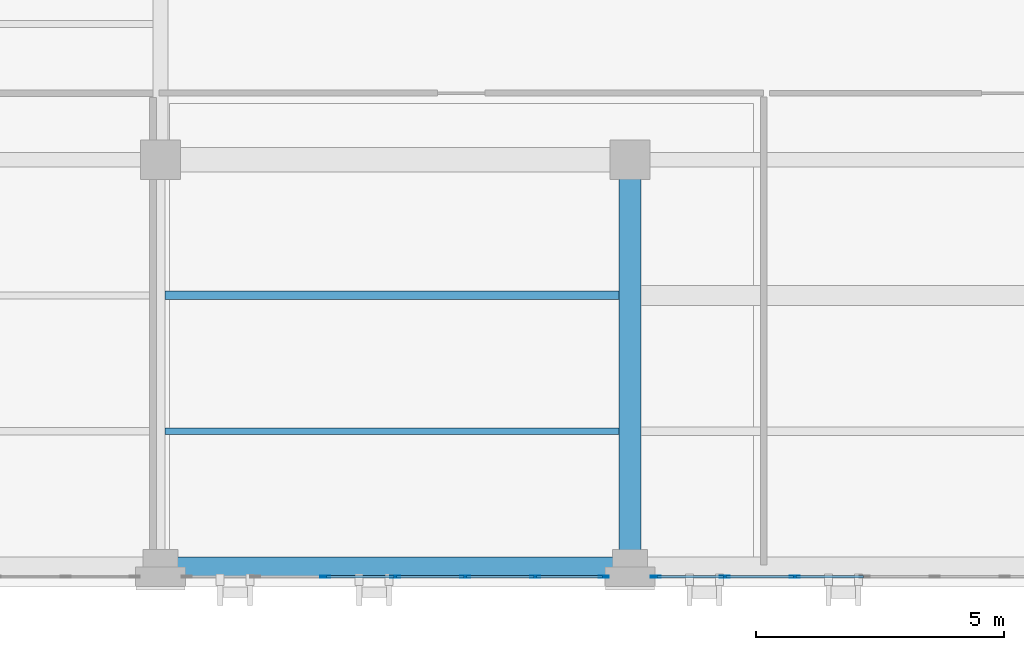
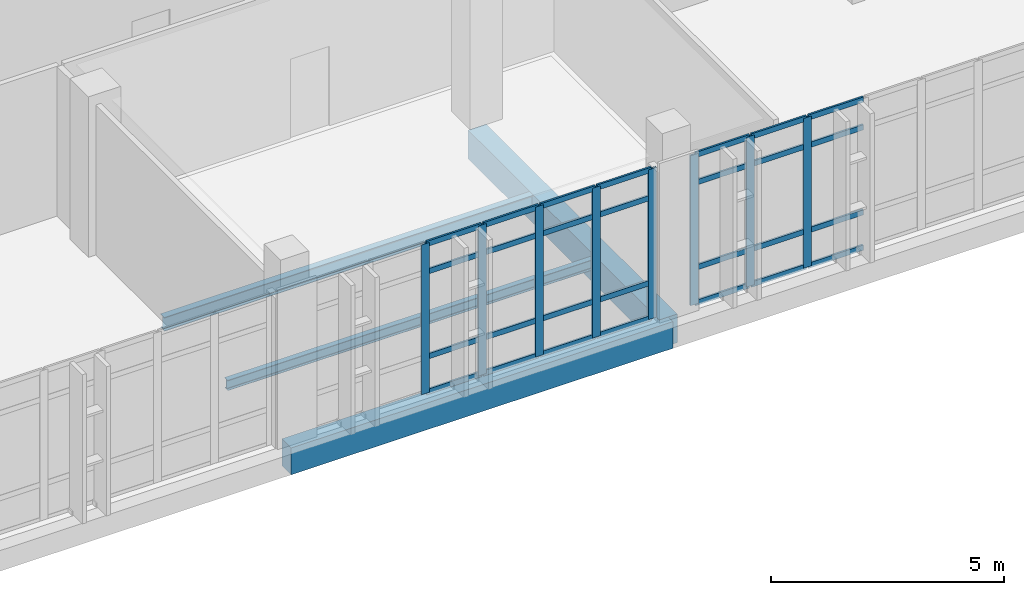
# One storey, part 42 of 158: 36 members, 4 beams, 2 elements without a shape of their own.
"""IFC4 building model written with IfcOpenShell, lengths in metres."""

import ifcopenshell
import ifcopenshell.guid

model = None  # the IFC model being written
_history = None  # IfcOwnerHistory: only IFC2X3 demands one
_inside = {}  # id of a spatial element -> (the spatial element, [elements in it])
_under = {}  # id of a project, library or spatial element -> (it, [spatial elements below it])
_declared = {}  # id of a project -> (the project, [libraries it declares])
_typed = {}  # id of a type object -> (the type object, [elements of that type])
_made_of = {}  # id of a material, layer set ... -> (it, [elements and type objects made of it])


def new_model(schema):
    """Start an empty IFC model of exactly this schema.

    Asked for "IFC4X3", IfcOpenShell would pick the latest addendum, in which some entities
    have other attributes; the version numbers below select the first issue.
    IFC2X3 requires an IfcOwnerHistory on every rooted entity: one is made here for all.
    """
    global model, _history
    if schema == "IFC4X3":
        model = ifcopenshell.file(schema_version=(4, 3, 0, 0))
    else:
        model = ifcopenshell.file(schema=schema)
    _inside.clear()
    _under.clear()
    _declared.clear()
    _typed.clear()
    _made_of.clear()
    _history = None
    if model.schema == "IFC2X3":
        org = make("IfcOrganization", Name="unknown")
        user = make(
            "IfcPersonAndOrganization",
            ThePerson=make("IfcPerson", FamilyName="unknown"),
            TheOrganization=org,
        )
        app = make(
            "IfcApplication",
            ApplicationDeveloper=org,
            Version="unknown",
            ApplicationFullName="unknown",
            ApplicationIdentifier="unknown",
        )
        _history = make(
            "IfcOwnerHistory",
            OwningUser=user,
            OwningApplication=app,
            ChangeAction="ADDED",
            CreationDate=0,
        )
    return model


def make(cls, **values):
    """One entity of the class cls with the attributes given. An attribute that is None is left unset."""
    return model.create_entity(
        cls, **{name: value for name, value in values.items() if value is not None}
    )


def rooted(cls, **values):
    """An entity with a GlobalId (a new one), such as an element, a storey or a relation."""
    return make(cls, GlobalId=ifcopenshell.guid.new(), OwnerHistory=_history, **values)


def si_unit(unit_type, name, prefix=None):
    """IfcSIUnit, for example si_unit("LENGTHUNIT", "METRE", prefix="MILLI")."""
    return make("IfcSIUnit", UnitType=unit_type, Prefix=prefix, Name=name)


def assignment(units):
    """IfcUnitAssignment: the units of a project."""
    return None if units is None else make("IfcUnitAssignment", Units=units)


def point(xyz):
    """IfcCartesianPoint."""
    return None if xyz is None else make("IfcCartesianPoint", Coordinates=xyz)


def direction(xyz):
    """IfcDirection."""
    return None if xyz is None else make("IfcDirection", DirectionRatios=xyz)


def frame(location, z_axis=None, x_axis=None):
    """IfcAxis2Placement3D, a coordinate frame: its origin and axes. An axis left out is left unset."""
    return make(
        "IfcAxis2Placement3D",
        Location=point(location),
        Axis=direction(z_axis),
        RefDirection=direction(x_axis),
    )


def frame_2d(location, x_axis=None):
    """IfcAxis2Placement2D, a coordinate frame in the plane: its origin and x axis."""
    return make(
        "IfcAxis2Placement2D", Location=point(location), RefDirection=direction(x_axis)
    )


def origin():
    """The frame at (0, 0, 0) with its axes left unset."""
    return frame((0.0, 0.0, 0.0))


def origin_2d():
    """The frame at (0, 0) in the plane with its x axis left unset."""
    return frame_2d((0.0, 0.0))


def place(relative_to, where):
    """IfcLocalPlacement: puts the frame where relative to a parent placement (None: the world)."""
    return make(
        "IfcLocalPlacement", PlacementRelTo=relative_to, RelativePlacement=where
    )


def context(
    kind, dimensions, precision=None, world=None, true_north=None, identifier=None
):
    """IfcGeometricRepresentationContext, for example the 3D "Model" context."""
    return make(
        "IfcGeometricRepresentationContext",
        ContextIdentifier=identifier,
        ContextType=kind,
        CoordinateSpaceDimension=dimensions,
        Precision=precision,
        WorldCoordinateSystem=world,
        TrueNorth=true_north,
    )


def subcontext(parent, identifier, kind, view, scale=None):
    """IfcGeometricRepresentationSubContext, for example "Body" below "Model"."""
    return make(
        "IfcGeometricRepresentationSubContext",
        ContextIdentifier=identifier,
        ContextType=kind,
        ParentContext=parent,
        TargetScale=scale,
        TargetView=view,
    )


def project(units=None, contexts=None):
    """IfcProject with its units and contexts."""
    return rooted(
        "IfcProject",
        Name="project",
        RepresentationContexts=contexts,
        UnitsInContext=assignment(units),
    )


def spatial(cls, under=None, at=None, **own):
    """A site, building, storey or space (cls), placed at a placement, below another one or the project."""
    s = rooted(cls, ObjectPlacement=at, **own)
    if under is not None:
        _under.setdefault(under.id(), (under, []))[1].append(s)
    return s


def profile(cls, at=None, kind="AREA", **sizes):
    """A parametric profile (cls). Its sizes go by their IFC names, for example OverallWidth=200.0."""
    return make(cls, ProfileType=kind, Position=at, **sizes)


def rectangle(**sizes):
    """IfcRectangleProfileDef."""
    return profile("IfcRectangleProfileDef", **sizes)


def hollow_rectangle(**sizes):
    """IfcRectangleHollowProfileDef."""
    return profile("IfcRectangleHollowProfileDef", **sizes)


def i_section(**sizes):
    """IfcIShapeProfileDef."""
    return profile("IfcIShapeProfileDef", **sizes)


def extrude(swept, where, along, depth):
    """IfcExtrudedAreaSolid: the profile swept, set in the frame where, extruded along a direction by depth."""
    return make(
        "IfcExtrudedAreaSolid",
        SweptArea=swept,
        Position=where,
        ExtrudedDirection=direction(along),
        Depth=depth,
    )


def shape(context_of_items, identifier, shape_type, items):
    """IfcShapeRepresentation: the items that make up one representation, for example the "Body"."""
    return make(
        "IfcShapeRepresentation",
        ContextOfItems=context_of_items,
        RepresentationIdentifier=identifier,
        RepresentationType=shape_type,
        Items=items,
    )


def material(Name=None, Category=None):
    """IfcMaterial."""
    return make("IfcMaterial", Name=Name, Category=Category)


def layer(
    of_material, thickness, ventilated=None, Name=None, Category=None, Priority=None
):
    """IfcMaterialLayer: one layer of a wall or slab, of a material (None: an air gap)."""
    return make(
        "IfcMaterialLayer",
        Material=of_material,
        LayerThickness=thickness,
        IsVentilated=ventilated,
        Name=Name,
        Category=Category,
        Priority=Priority,
    )


def layer_set(layers, Name=None):
    """IfcMaterialLayerSet."""
    return make("IfcMaterialLayerSet", MaterialLayers=layers, LayerSetName=Name)


def material_profile(
    of_material, cross_section, Name=None, Category=None, Priority=None
):
    """IfcMaterialProfile: a cross section and its material."""
    return make(
        "IfcMaterialProfile",
        Name=Name,
        Material=of_material,
        Profile=cross_section,
        Priority=Priority,
        Category=Category,
    )


def profile_set(profiles, Name=None, composite=None):
    """IfcMaterialProfileSet."""
    return make(
        "IfcMaterialProfileSet",
        Name=Name,
        MaterialProfiles=profiles,
        CompositeProfile=composite,
    )


def made_of(thing, what):
    """Note that an element or type object is made of a material, layer set ...; save() writes the relation."""
    if what is not None:
        _made_of.setdefault(what.id(), (what, []))[1].append(thing)
    return thing


def type_object(cls, material=None, **own):
    """A type object (cls), such as IfcWallType, which elements share."""
    return made_of(rooted(cls, **own), material)


def element(
    cls,
    number,
    at=None,
    inside=None,
    cuts=None,
    type_object=None,
    material=None,
    context=None,
    identifier="Body",
    shape_type=None,
    held_by="IfcProductDefinitionShape",
    body=None,
    shapes=None,
    **own,
):
    """One element of the class cls, such as IfcWall. Its Tag is "e" and its number.

    at: its placement. inside: the storey or other place that contains it. cuts: it is an
    opening in that element (IfcRelVoidsElement). A single representation is given by context,
    identifier, shape_type and body (its items); several are given by shapes. held_by: the class
    of the entity that holds the representations. save() writes the other relations.
    """
    e = rooted(cls, Tag="e%d" % number, ObjectPlacement=at, **own)
    if body is not None:
        shapes = [shape(context, identifier, shape_type, body)]
    if shapes is not None:
        e.Representation = make(held_by, Representations=shapes)
    if inside is not None:
        _inside.setdefault(inside.id(), (inside, []))[1].append(e)
    if cuts is not None:
        rooted(
            "IfcRelVoidsElement", RelatingBuildingElement=cuts, RelatedOpeningElement=e
        )
    if type_object is not None:
        _typed.setdefault(type_object.id(), (type_object, []))[1].append(e)
    return made_of(e, material)


def aggregate(whole, parts):
    """IfcRelAggregates: a whole, such as a stair, and the parts it consists of."""
    return rooted("IfcRelAggregates", RelatingObject=whole, RelatedObjects=parts)


def save(model, path):
    """Write the relations noted so far, then the file.

    IfcRelAggregates (storeys below a building ...), IfcRelContainedInSpatialStructure (elements
    in a storey), IfcRelDefinesByType, IfcRelAssociatesMaterial and IfcRelDeclares: one each for
    every whole, place, type object, material and project.
    """
    for whole, parts in _under.values():
        aggregate(whole, parts)
    for where, things in _inside.values():
        rooted(
            "IfcRelContainedInSpatialStructure",
            RelatedElements=things,
            RelatingStructure=where,
        )
    for kind, things in _typed.values():
        rooted("IfcRelDefinesByType", RelatedObjects=things, RelatingType=kind)
    for what, things in _made_of.values():
        rooted("IfcRelAssociatesMaterial", RelatedObjects=things, RelatingMaterial=what)
    for by, libraries in _declared.values():
        rooted("IfcRelDeclares", RelatingContext=by, RelatedDefinitions=libraries)
    model.write(path)


model = new_model("IFC4")

# Units and contexts
model_context = context("Model", 3, precision=1e-05, world=origin(), true_north=direction((0.0, 1.0)))
body_context = subcontext(model_context, "Body", "Model", "MODEL_VIEW")
ifc_project = project(units=[si_unit("LENGTHUNIT", "METRE"), si_unit("AREAUNIT", "SQUARE_METRE"), si_unit("VOLUMEUNIT", "CUBIC_METRE"), si_unit("PLANEANGLEUNIT", "RADIAN"), si_unit("MASSUNIT", "GRAM", prefix="KILO")], contexts=[model_context])

# Site, building, storey
site_placement = place(None, origin())
site = spatial("IfcSite", under=ifc_project, at=site_placement, CompositionType="ELEMENT")
building_placement = place(site_placement, origin())
building = spatial("IfcBuilding", under=site, at=building_placement, Name="Qalavern Law Courts", CompositionType="ELEMENT")
storey_placement = place(building_placement, frame((0.0, 0.0, 18.60009765625)))
storey = spatial("IfcBuildingStorey", under=building, at=storey_placement, Name="L04", CompositionType="ELEMENT", Elevation=18.60009765625)

# Curtain wall, members
ifc_material_1 = material(Name="Anodised aluminium and insulated glazing", Category="aluminium")
ifc_layer = layer(ifc_material_1, 0.18505859375)
ifc_layer_set = layer_set([ifc_layer], Name="Anodised aluminium and insulated glazing")
curtain_wall_type = type_object("IfcCurtainWallType", Name="ENV-CW-HALL", PredefinedType="USERDEFINED", material=ifc_layer_set)
curtain_wall_1_placement = place(storey_placement, origin())
curtain_wall_1 = element("IfcCurtainWall", 1, at=curtain_wall_1_placement, inside=storey, type_object=curtain_wall_type, Name="V2 unitised curtain wall L04 south 3", ObjectType="UNITISED CURTAIN WALL", PredefinedType="USERDEFINED")
ifc_material_2 = material(Name="Anodised aluminium", Category="aluminium")
ifc_material_profile_1 = material_profile(ifc_material_2, hollow_rectangle(XDim=0.048095703125, YDim=0.199951171875, WallThickness=0.00439453125, at=origin_2d()), Name="ALU MULLION 48x200")
ifc_profile_set_1 = profile_set([ifc_material_profile_1], Name="Anodised aluminium")
member_type_1 = type_object("IfcMemberType", Name="ENV-CWM-48x200", PredefinedType="MULLION", material=ifc_profile_set_1)
member_1_placement = place(storey_placement, frame((66.301025390625, 5.39990234375, 0.0), z_axis=(0.0, 0.0, 1.0), x_axis=(0.0, 1.0, 0.0)))
member_1 = element("IfcMember", 2, at=member_1_placement, type_object=member_type_1, Name="CW-02 mullion 3", PredefinedType="MULLION", context=body_context, shape_type="SweptSolid", body=[
    extrude(hollow_rectangle(XDim=0.048095703125, YDim=0.199951171875, WallThickness=0.00439453125, at=origin_2d()), origin(), (0.0, 0.0, 1.0), 3.9248046875),
])
member_2_placement = place(storey_placement, frame((67.7099609375, 5.39990234375, 0.0), z_axis=(0.0, 0.0, 1.0), x_axis=(0.0, 1.0, 0.0)))
member_2 = element("IfcMember", 3, at=member_2_placement, type_object=member_type_1, Name="CW-02 mullion 4", PredefinedType="MULLION", context=body_context, shape_type="SweptSolid", body=[
    extrude(hollow_rectangle(XDim=0.048095703125, YDim=0.199951171875, WallThickness=0.00439453125, at=origin_2d()), origin(), (0.0, 0.0, 1.0), 3.9248046875),
])
member_3_placement = place(storey_placement, frame((69.119140625, 5.39990234375, 0.0), z_axis=(0.0, 0.0, 1.0), x_axis=(0.0, 1.0, 0.0)))
member_3 = element("IfcMember", 4, at=member_3_placement, type_object=member_type_1, Name="CW-02 mullion 5", PredefinedType="MULLION", context=body_context, shape_type="SweptSolid", body=[
    extrude(hollow_rectangle(XDim=0.048095703125, YDim=0.199951171875, WallThickness=0.00439453125, at=origin_2d()), origin(), (0.0, 0.0, 1.0), 3.9248046875),
])
member_4_placement = place(storey_placement, frame((70.528076171875, 5.39990234375, 0.0), z_axis=(0.0, 0.0, 1.0), x_axis=(0.0, 1.0, 0.0)))
member_4 = element("IfcMember", 5, at=member_4_placement, type_object=member_type_1, Name="CW-02 mullion 6", PredefinedType="MULLION", context=body_context, shape_type="SweptSolid", body=[
    extrude(hollow_rectangle(XDim=0.048095703125, YDim=0.199951171875, WallThickness=0.00439453125, at=origin_2d()), origin(), (0.0, 0.0, 1.0), 3.9248046875),
])
member_5_placement = place(storey_placement, frame((71.9130859375, 5.39990234375, 0.0), z_axis=(0.0, 0.0, 1.0), x_axis=(0.0, 1.0, 0.0)))
member_5 = element("IfcMember", 6, at=member_5_placement, type_object=member_type_1, Name="CW-02 mullion 7", PredefinedType="MULLION", context=body_context, shape_type="SweptSolid", body=[
    extrude(hollow_rectangle(XDim=0.048095703125, YDim=0.199951171875, WallThickness=0.00439453125, at=origin_2d()), origin(), (0.0, 0.0, 1.0), 3.9248046875),
])

curtain_wall_2_placement = place(storey_placement, origin())
curtain_wall_2 = element("IfcCurtainWall", 7, at=curtain_wall_2_placement, inside=storey, type_object=curtain_wall_type, Name="V2 unitised curtain wall L04 south 4", ObjectType="UNITISED CURTAIN WALL", PredefinedType="USERDEFINED")
member_6_placement = place(storey_placement, frame((72.961181640625, 5.39990234375, 0.0), z_axis=(0.0, 0.0, 1.0), x_axis=(0.0, 1.0, 0.0)))
member_6 = element("IfcMember", 8, at=member_6_placement, type_object=member_type_1, Name="CW-02 mullion 1", PredefinedType="MULLION", context=body_context, shape_type="SweptSolid", body=[
    extrude(hollow_rectangle(XDim=0.048095703125, YDim=0.199951171875, WallThickness=0.00439453125, at=origin_2d()), origin(), (0.0, 0.0, 1.0), 3.9248046875),
])
member_7_placement = place(storey_placement, frame((74.34619140625, 5.39990234375, 0.0), z_axis=(0.0, 0.0, 1.0), x_axis=(0.0, 1.0, 0.0)))
member_7 = element("IfcMember", 9, at=member_7_placement, type_object=member_type_1, Name="CW-02 mullion 2", PredefinedType="MULLION", context=body_context, shape_type="SweptSolid", body=[
    extrude(hollow_rectangle(XDim=0.048095703125, YDim=0.199951171875, WallThickness=0.00439453125, at=origin_2d()), origin(), (0.0, 0.0, 1.0), 3.9248046875),
])
member_8_placement = place(storey_placement, frame((75.755126953125, 5.39990234375, 0.0), z_axis=(0.0, 0.0, 1.0), x_axis=(0.0, 1.0, 0.0)))
member_8 = element("IfcMember", 10, at=member_8_placement, type_object=member_type_1, Name="CW-02 mullion 3", PredefinedType="MULLION", context=body_context, shape_type="SweptSolid", body=[
    extrude(hollow_rectangle(XDim=0.048095703125, YDim=0.199951171875, WallThickness=0.00439453125, at=origin_2d()), origin(), (0.0, 0.0, 1.0), 3.9248046875),
])

# Member
ifc_material_profile_2 = material_profile(ifc_material_2, hollow_rectangle(XDim=0.048095703125, YDim=0.139892578125, WallThickness=0.00390625, at=origin_2d()), Name="ALU TRANSOM 48x140")
ifc_profile_set_2 = profile_set([ifc_material_profile_2], Name="Anodised aluminium")
member_type_2 = type_object("IfcMemberType", Name="ENV-CWT-48x140", PredefinedType="USERDEFINED", material=ifc_profile_set_2)
member_9_placement = place(storey_placement, frame((66.324951171875, 5.39990234375, 0.02392578125), z_axis=(1.0, 0.0, 0.0), x_axis=(0.0, 1.0, 0.0)))
member_9 = element("IfcMember", 11, at=member_9_placement, type_object=member_type_2, Name="CW-02 transom 3.1", ObjectType="TRANSOM", PredefinedType="USERDEFINED", context=body_context, shape_type="SweptSolid", body=[
    extrude(hollow_rectangle(XDim=0.048095703125, YDim=0.139892578125, WallThickness=0.00390625, at=origin_2d()), origin(), (0.0, 0.0, 1.0), 1.361083984375),
])

member_10_placement = place(storey_placement, frame((66.324951171875, 5.39990234375, 0.949951171875), z_axis=(1.0, 0.0, 0.0), x_axis=(0.0, 1.0, 0.0)))
member_10 = element("IfcMember", 12, at=member_10_placement, type_object=member_type_2, Name="CW-02 transom 3.2", ObjectType="TRANSOM", PredefinedType="USERDEFINED", context=body_context, shape_type="SweptSolid", body=[
    extrude(hollow_rectangle(XDim=0.048095703125, YDim=0.139892578125, WallThickness=0.00390625, at=origin_2d()), origin(), (0.0, 0.0, 1.0), 1.361083984375),
])

member_11_placement = place(storey_placement, frame((66.324951171875, 5.39990234375, 3.1748046875), z_axis=(1.0, 0.0, 0.0), x_axis=(0.0, 1.0, 0.0)))
member_11 = element("IfcMember", 13, at=member_11_placement, type_object=member_type_2, Name="CW-02 transom 3.3", ObjectType="TRANSOM", PredefinedType="USERDEFINED", context=body_context, shape_type="SweptSolid", body=[
    extrude(hollow_rectangle(XDim=0.048095703125, YDim=0.139892578125, WallThickness=0.00390625, at=origin_2d()), origin(), (0.0, 0.0, 1.0), 1.361083984375),
])

member_12_placement = place(storey_placement, frame((66.324951171875, 5.39990234375, 3.90087890625), z_axis=(1.0, 0.0, 0.0), x_axis=(0.0, 1.0, 0.0)))
member_12 = element("IfcMember", 14, at=member_12_placement, type_object=member_type_2, Name="CW-02 transom 3.4", ObjectType="TRANSOM", PredefinedType="USERDEFINED", context=body_context, shape_type="SweptSolid", body=[
    extrude(hollow_rectangle(XDim=0.048095703125, YDim=0.139892578125, WallThickness=0.00390625, at=origin_2d()), origin(), (0.0, 0.0, 1.0), 1.361083984375),
])

member_13_placement = place(storey_placement, frame((67.73388671875, 5.39990234375, 0.02392578125), z_axis=(1.0, 0.0, 0.0), x_axis=(0.0, 1.0, 0.0)))
member_13 = element("IfcMember", 15, at=member_13_placement, type_object=member_type_2, Name="CW-02 transom 4.1", ObjectType="TRANSOM", PredefinedType="USERDEFINED", context=body_context, shape_type="SweptSolid", body=[
    extrude(hollow_rectangle(XDim=0.048095703125, YDim=0.139892578125, WallThickness=0.00390625, at=origin_2d()), origin(), (0.0, 0.0, 1.0), 1.361083984375),
])

member_14_placement = place(storey_placement, frame((67.73388671875, 5.39990234375, 0.949951171875), z_axis=(1.0, 0.0, 0.0), x_axis=(0.0, 1.0, 0.0)))
member_14 = element("IfcMember", 16, at=member_14_placement, type_object=member_type_2, Name="CW-02 transom 4.2", ObjectType="TRANSOM", PredefinedType="USERDEFINED", context=body_context, shape_type="SweptSolid", body=[
    extrude(hollow_rectangle(XDim=0.048095703125, YDim=0.139892578125, WallThickness=0.00390625, at=origin_2d()), origin(), (0.0, 0.0, 1.0), 1.361083984375),
])

member_15_placement = place(storey_placement, frame((67.73388671875, 5.39990234375, 3.1748046875), z_axis=(1.0, 0.0, 0.0), x_axis=(0.0, 1.0, 0.0)))
member_15 = element("IfcMember", 17, at=member_15_placement, type_object=member_type_2, Name="CW-02 transom 4.3", ObjectType="TRANSOM", PredefinedType="USERDEFINED", context=body_context, shape_type="SweptSolid", body=[
    extrude(hollow_rectangle(XDim=0.048095703125, YDim=0.139892578125, WallThickness=0.00390625, at=origin_2d()), origin(), (0.0, 0.0, 1.0), 1.361083984375),
])

member_16_placement = place(storey_placement, frame((67.73388671875, 5.39990234375, 3.90087890625), z_axis=(1.0, 0.0, 0.0), x_axis=(0.0, 1.0, 0.0)))
member_16 = element("IfcMember", 18, at=member_16_placement, type_object=member_type_2, Name="CW-02 transom 4.4", ObjectType="TRANSOM", PredefinedType="USERDEFINED", context=body_context, shape_type="SweptSolid", body=[
    extrude(hollow_rectangle(XDim=0.048095703125, YDim=0.139892578125, WallThickness=0.00390625, at=origin_2d()), origin(), (0.0, 0.0, 1.0), 1.361083984375),
])

member_17_placement = place(storey_placement, frame((69.14306640625, 5.39990234375, 0.02392578125), z_axis=(1.0, 0.0, 0.0), x_axis=(0.0, 1.0, 0.0)))
member_17 = element("IfcMember", 19, at=member_17_placement, type_object=member_type_2, Name="CW-02 transom 5.1", ObjectType="TRANSOM", PredefinedType="USERDEFINED", context=body_context, shape_type="SweptSolid", body=[
    extrude(hollow_rectangle(XDim=0.048095703125, YDim=0.139892578125, WallThickness=0.00390625, at=origin_2d()), origin(), (0.0, 0.0, 1.0), 1.361083984375),
])

member_18_placement = place(storey_placement, frame((69.14306640625, 5.39990234375, 0.949951171875), z_axis=(1.0, 0.0, 0.0), x_axis=(0.0, 1.0, 0.0)))
member_18 = element("IfcMember", 20, at=member_18_placement, type_object=member_type_2, Name="CW-02 transom 5.2", ObjectType="TRANSOM", PredefinedType="USERDEFINED", context=body_context, shape_type="SweptSolid", body=[
    extrude(hollow_rectangle(XDim=0.048095703125, YDim=0.139892578125, WallThickness=0.00390625, at=origin_2d()), origin(), (0.0, 0.0, 1.0), 1.361083984375),
])

member_19_placement = place(storey_placement, frame((69.14306640625, 5.39990234375, 3.1748046875), z_axis=(1.0, 0.0, 0.0), x_axis=(0.0, 1.0, 0.0)))
member_19 = element("IfcMember", 21, at=member_19_placement, type_object=member_type_2, Name="CW-02 transom 5.3", ObjectType="TRANSOM", PredefinedType="USERDEFINED", context=body_context, shape_type="SweptSolid", body=[
    extrude(hollow_rectangle(XDim=0.048095703125, YDim=0.139892578125, WallThickness=0.00390625, at=origin_2d()), origin(), (0.0, 0.0, 1.0), 1.361083984375),
])

member_20_placement = place(storey_placement, frame((69.14306640625, 5.39990234375, 3.90087890625), z_axis=(1.0, 0.0, 0.0), x_axis=(0.0, 1.0, 0.0)))
member_20 = element("IfcMember", 22, at=member_20_placement, type_object=member_type_2, Name="CW-02 transom 5.4", ObjectType="TRANSOM", PredefinedType="USERDEFINED", context=body_context, shape_type="SweptSolid", body=[
    extrude(hollow_rectangle(XDim=0.048095703125, YDim=0.139892578125, WallThickness=0.00390625, at=origin_2d()), origin(), (0.0, 0.0, 1.0), 1.361083984375),
])

member_21_placement = place(storey_placement, frame((70.552001953125, 5.39990234375, 0.02392578125), z_axis=(1.0, 0.0, 0.0), x_axis=(0.0, 1.0, 0.0)))
member_21 = element("IfcMember", 23, at=member_21_placement, type_object=member_type_2, Name="CW-02 transom 6.1", ObjectType="TRANSOM", PredefinedType="USERDEFINED", context=body_context, shape_type="SweptSolid", body=[
    extrude(hollow_rectangle(XDim=0.048095703125, YDim=0.139892578125, WallThickness=0.00390625, at=origin_2d()), origin(), (0.0, 0.0, 1.0), 1.337158203125),
])

member_22_placement = place(storey_placement, frame((70.552001953125, 5.39990234375, 0.949951171875), z_axis=(1.0, 0.0, 0.0), x_axis=(0.0, 1.0, 0.0)))
member_22 = element("IfcMember", 24, at=member_22_placement, type_object=member_type_2, Name="CW-02 transom 6.2", ObjectType="TRANSOM", PredefinedType="USERDEFINED", context=body_context, shape_type="SweptSolid", body=[
    extrude(hollow_rectangle(XDim=0.048095703125, YDim=0.139892578125, WallThickness=0.00390625, at=origin_2d()), origin(), (0.0, 0.0, 1.0), 1.337158203125),
])

member_23_placement = place(storey_placement, frame((70.552001953125, 5.39990234375, 3.1748046875), z_axis=(1.0, 0.0, 0.0), x_axis=(0.0, 1.0, 0.0)))
member_23 = element("IfcMember", 25, at=member_23_placement, type_object=member_type_2, Name="CW-02 transom 6.3", ObjectType="TRANSOM", PredefinedType="USERDEFINED", context=body_context, shape_type="SweptSolid", body=[
    extrude(hollow_rectangle(XDim=0.048095703125, YDim=0.139892578125, WallThickness=0.00390625, at=origin_2d()), origin(), (0.0, 0.0, 1.0), 1.337158203125),
])

member_24_placement = place(storey_placement, frame((70.552001953125, 5.39990234375, 3.90087890625), z_axis=(1.0, 0.0, 0.0), x_axis=(0.0, 1.0, 0.0)))
member_24 = element("IfcMember", 26, at=member_24_placement, type_object=member_type_2, Name="CW-02 transom 6.4", ObjectType="TRANSOM", PredefinedType="USERDEFINED", context=body_context, shape_type="SweptSolid", body=[
    extrude(hollow_rectangle(XDim=0.048095703125, YDim=0.139892578125, WallThickness=0.00390625, at=origin_2d()), origin(), (0.0, 0.0, 1.0), 1.337158203125),
])

aggregate(curtain_wall_1, [member_1, member_2, member_3, member_4, member_5, member_9, member_10, member_11, member_12, member_13, member_14, member_15, member_16, member_17, member_18, member_19, member_20, member_21, member_22, member_23, member_24])

member_25_placement = place(storey_placement, frame((72.985107421875, 5.39990234375, 0.02392578125), z_axis=(1.0, 0.0, 0.0), x_axis=(0.0, 1.0, 0.0)))
member_25 = element("IfcMember", 27, at=member_25_placement, type_object=member_type_2, Name="CW-02 transom 1.1", ObjectType="TRANSOM", PredefinedType="USERDEFINED", context=body_context, shape_type="SweptSolid", body=[
    extrude(hollow_rectangle(XDim=0.048095703125, YDim=0.139892578125, WallThickness=0.00390625, at=origin_2d()), origin(), (0.0, 0.0, 1.0), 1.337158203125),
])

member_26_placement = place(storey_placement, frame((72.985107421875, 5.39990234375, 0.949951171875), z_axis=(1.0, 0.0, 0.0), x_axis=(0.0, 1.0, 0.0)))
member_26 = element("IfcMember", 28, at=member_26_placement, type_object=member_type_2, Name="CW-02 transom 1.2", ObjectType="TRANSOM", PredefinedType="USERDEFINED", context=body_context, shape_type="SweptSolid", body=[
    extrude(hollow_rectangle(XDim=0.048095703125, YDim=0.139892578125, WallThickness=0.00390625, at=origin_2d()), origin(), (0.0, 0.0, 1.0), 1.337158203125),
])

member_27_placement = place(storey_placement, frame((72.985107421875, 5.39990234375, 3.1748046875), z_axis=(1.0, 0.0, 0.0), x_axis=(0.0, 1.0, 0.0)))
member_27 = element("IfcMember", 29, at=member_27_placement, type_object=member_type_2, Name="CW-02 transom 1.3", ObjectType="TRANSOM", PredefinedType="USERDEFINED", context=body_context, shape_type="SweptSolid", body=[
    extrude(hollow_rectangle(XDim=0.048095703125, YDim=0.139892578125, WallThickness=0.00390625, at=origin_2d()), origin(), (0.0, 0.0, 1.0), 1.337158203125),
])

member_28_placement = place(storey_placement, frame((72.985107421875, 5.39990234375, 3.90087890625), z_axis=(1.0, 0.0, 0.0), x_axis=(0.0, 1.0, 0.0)))
member_28 = element("IfcMember", 30, at=member_28_placement, type_object=member_type_2, Name="CW-02 transom 1.4", ObjectType="TRANSOM", PredefinedType="USERDEFINED", context=body_context, shape_type="SweptSolid", body=[
    extrude(hollow_rectangle(XDim=0.048095703125, YDim=0.139892578125, WallThickness=0.00390625, at=origin_2d()), origin(), (0.0, 0.0, 1.0), 1.337158203125),
])

member_29_placement = place(storey_placement, frame((74.3701171875, 5.39990234375, 0.02392578125), z_axis=(1.0, 0.0, 0.0), x_axis=(0.0, 1.0, 0.0)))
member_29 = element("IfcMember", 31, at=member_29_placement, type_object=member_type_2, Name="CW-02 transom 2.1", ObjectType="TRANSOM", PredefinedType="USERDEFINED", context=body_context, shape_type="SweptSolid", body=[
    extrude(hollow_rectangle(XDim=0.048095703125, YDim=0.139892578125, WallThickness=0.00390625, at=origin_2d()), origin(), (0.0, 0.0, 1.0), 1.361083984375),
])

member_30_placement = place(storey_placement, frame((74.3701171875, 5.39990234375, 0.949951171875), z_axis=(1.0, 0.0, 0.0), x_axis=(0.0, 1.0, 0.0)))
member_30 = element("IfcMember", 32, at=member_30_placement, type_object=member_type_2, Name="CW-02 transom 2.2", ObjectType="TRANSOM", PredefinedType="USERDEFINED", context=body_context, shape_type="SweptSolid", body=[
    extrude(hollow_rectangle(XDim=0.048095703125, YDim=0.139892578125, WallThickness=0.00390625, at=origin_2d()), origin(), (0.0, 0.0, 1.0), 1.361083984375),
])

member_31_placement = place(storey_placement, frame((74.3701171875, 5.39990234375, 3.1748046875), z_axis=(1.0, 0.0, 0.0), x_axis=(0.0, 1.0, 0.0)))
member_31 = element("IfcMember", 33, at=member_31_placement, type_object=member_type_2, Name="CW-02 transom 2.3", ObjectType="TRANSOM", PredefinedType="USERDEFINED", context=body_context, shape_type="SweptSolid", body=[
    extrude(hollow_rectangle(XDim=0.048095703125, YDim=0.139892578125, WallThickness=0.00390625, at=origin_2d()), origin(), (0.0, 0.0, 1.0), 1.361083984375),
])

member_32_placement = place(storey_placement, frame((74.3701171875, 5.39990234375, 3.90087890625), z_axis=(1.0, 0.0, 0.0), x_axis=(0.0, 1.0, 0.0)))
member_32 = element("IfcMember", 34, at=member_32_placement, type_object=member_type_2, Name="CW-02 transom 2.4", ObjectType="TRANSOM", PredefinedType="USERDEFINED", context=body_context, shape_type="SweptSolid", body=[
    extrude(hollow_rectangle(XDim=0.048095703125, YDim=0.139892578125, WallThickness=0.00390625, at=origin_2d()), origin(), (0.0, 0.0, 1.0), 1.361083984375),
])

member_33_placement = place(storey_placement, frame((75.779296875, 5.39990234375, 0.02392578125), z_axis=(1.0, 0.0, 0.0), x_axis=(0.0, 1.0, 0.0)))
member_33 = element("IfcMember", 35, at=member_33_placement, type_object=member_type_2, Name="CW-02 transom 3.1", ObjectType="TRANSOM", PredefinedType="USERDEFINED", context=body_context, shape_type="SweptSolid", body=[
    extrude(hollow_rectangle(XDim=0.048095703125, YDim=0.139892578125, WallThickness=0.00390625, at=origin_2d()), origin(), (0.0, 0.0, 1.0), 1.36083984375),
])

member_34_placement = place(storey_placement, frame((75.779296875, 5.39990234375, 0.949951171875), z_axis=(1.0, 0.0, 0.0), x_axis=(0.0, 1.0, 0.0)))
member_34 = element("IfcMember", 36, at=member_34_placement, type_object=member_type_2, Name="CW-02 transom 3.2", ObjectType="TRANSOM", PredefinedType="USERDEFINED", context=body_context, shape_type="SweptSolid", body=[
    extrude(hollow_rectangle(XDim=0.048095703125, YDim=0.139892578125, WallThickness=0.00390625, at=origin_2d()), origin(), (0.0, 0.0, 1.0), 1.36083984375),
])

member_35_placement = place(storey_placement, frame((75.779296875, 5.39990234375, 3.1748046875), z_axis=(1.0, 0.0, 0.0), x_axis=(0.0, 1.0, 0.0)))
member_35 = element("IfcMember", 37, at=member_35_placement, type_object=member_type_2, Name="CW-02 transom 3.3", ObjectType="TRANSOM", PredefinedType="USERDEFINED", context=body_context, shape_type="SweptSolid", body=[
    extrude(hollow_rectangle(XDim=0.048095703125, YDim=0.139892578125, WallThickness=0.00390625, at=origin_2d()), origin(), (0.0, 0.0, 1.0), 1.36083984375),
])

member_36_placement = place(storey_placement, frame((75.779296875, 5.39990234375, 3.90087890625), z_axis=(1.0, 0.0, 0.0), x_axis=(0.0, 1.0, 0.0)))
member_36 = element("IfcMember", 38, at=member_36_placement, type_object=member_type_2, Name="CW-02 transom 3.4", ObjectType="TRANSOM", PredefinedType="USERDEFINED", context=body_context, shape_type="SweptSolid", body=[
    extrude(hollow_rectangle(XDim=0.048095703125, YDim=0.139892578125, WallThickness=0.00390625, at=origin_2d()), origin(), (0.0, 0.0, 1.0), 1.36083984375),
])

aggregate(curtain_wall_2, [member_6, member_7, member_8, member_25, member_26, member_27, member_28, member_29, member_30, member_31, member_32, member_33, member_34, member_35, member_36])

# Beams
ifc_material_3 = material(Name="Concrete C40/50", Category="concrete")
ifc_material_profile_3 = material_profile(ifc_material_3, rectangle(XDim=0.449951171875, YDim=0.75, at=origin_2d()), Name="RC 450x750")
ifc_profile_set_3 = profile_set([ifc_material_profile_3], Name="Concrete C40/50")
beam_type_1 = type_object("IfcBeamType", Name="STR-BM-RC450x750", PredefinedType="BEAM", material=ifc_profile_set_3)
beam_1_placement = place(storey_placement, frame((72.43701171875, 5.60009765625, -0.655029296875), z_axis=(0.0, 1.0, 0.0), x_axis=(-1.0, 0.0, 0.0)))
element("IfcBeam", 39, at=beam_1_placement, inside=storey, type_object=beam_type_1, Name="V2 Y-beam 5-1 L04", PredefinedType="BEAM", context=body_context, shape_type="SweptSolid", body=[
    extrude(rectangle(XDim=0.449951171875, YDim=0.75, at=origin_2d()), origin(), (0.0, 0.0, 1.0), 8.199951171875),
])
ifc_material_4 = material(Name="Steel S355", Category="steel")
ifc_material_profile_4 = material_profile(ifc_material_4, i_section(OverallWidth=0.135009765625, OverallDepth=0.27001953125, WebThickness=0.006591796875, FlangeThickness=0.01025390625, FilletRadius=0.014892578125, at=origin_2d()), Name="IPE 270")
ifc_profile_set_4 = profile_set([ifc_material_profile_4], Name="Steel S355")
beam_type_2 = type_object("IfcBeamType", Name="STR-JST-IPE270", PredefinedType="JOIST", material=ifc_profile_set_4)
beam_2_placement = place(storey_placement, frame((63.07080078125, 8.333251953125, -0.4150390625), z_axis=(1.0, 0.0, 0.0), x_axis=(0.0, 1.0, 0.0)))
element("IfcBeam", 40, at=beam_2_placement, inside=storey, type_object=beam_type_2, Name="V2 secondary joist 4.1.1 L04", PredefinedType="JOIST", context=body_context, shape_type="SweptSolid", body=[
    extrude(i_section(OverallWidth=0.135009765625, OverallDepth=0.27001953125, WebThickness=0.006591796875, FlangeThickness=0.01025390625, FilletRadius=0.014892578125, at=origin_2d()), origin(), (0.0, 0.0, 1.0), 9.143310546875),
])
ifc_material_profile_5 = material_profile(ifc_material_4, i_section(OverallWidth=0.169921875, OverallDepth=0.360107421875, WebThickness=0.008056640625, FlangeThickness=0.0126953125, FilletRadius=0.01806640625, at=origin_2d()), Name="IPE 360")
ifc_profile_set_5 = profile_set([ifc_material_profile_5], Name="Steel S355")
beam_type_3 = type_object("IfcBeamType", Name="STR-JST-IPE360", PredefinedType="JOIST", material=ifc_profile_set_5)
beam_3_placement = place(storey_placement, frame((63.07080078125, 11.066650390625, -0.460205078125), z_axis=(1.0, 0.0, 0.0), x_axis=(0.0, 1.0, 0.0)))
element("IfcBeam", 41, at=beam_3_placement, inside=storey, type_object=beam_type_3, Name="V2 secondary joist 4.1.2 L04", PredefinedType="JOIST", context=body_context, shape_type="SweptSolid", body=[
    extrude(i_section(OverallWidth=0.169921875, OverallDepth=0.360107421875, WebThickness=0.008056640625, FlangeThickness=0.0126953125, FilletRadius=0.01806640625, at=origin_2d()), origin(), (0.0, 0.0, 1.0), 9.143310546875),
])
ifc_material_profile_6 = material_profile(ifc_material_3, rectangle(XDim=0.39990234375, YDim=0.699951171875, at=origin_2d()), Name="RC 400x700")
ifc_profile_set_6 = profile_set([ifc_material_profile_6], Name="Concrete C40/50")
beam_type_4 = type_object("IfcBeamType", Name="STR-SP-RC400x700", PredefinedType="SPANDREL", material=ifc_profile_set_6)
beam_4_placement = place(storey_placement, frame((62.98291015625, 5.60009765625, -0.630126953125), z_axis=(1.0, 0.0, 0.0), x_axis=(0.0, 1.0, 0.0)))
element("IfcBeam", 42, at=beam_4_placement, inside=storey, type_object=beam_type_4, Name="V2 X-beam 1-4 L04", PredefinedType="SPANDREL", context=body_context, shape_type="SweptSolid", body=[
    extrude(rectangle(XDim=0.39990234375, YDim=0.699951171875, at=origin_2d()), origin(), (0.0, 0.0, 1.0), 9.4541015625),
])

save(model, "model.ifc")
